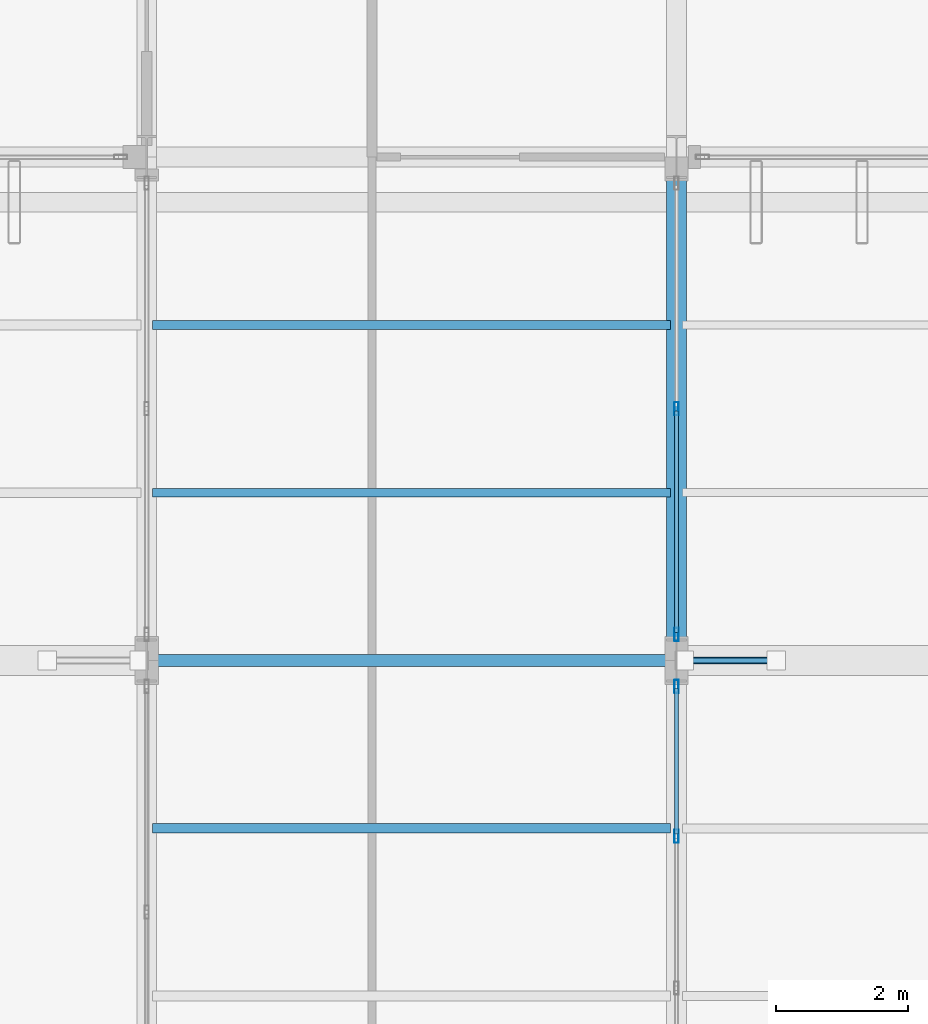
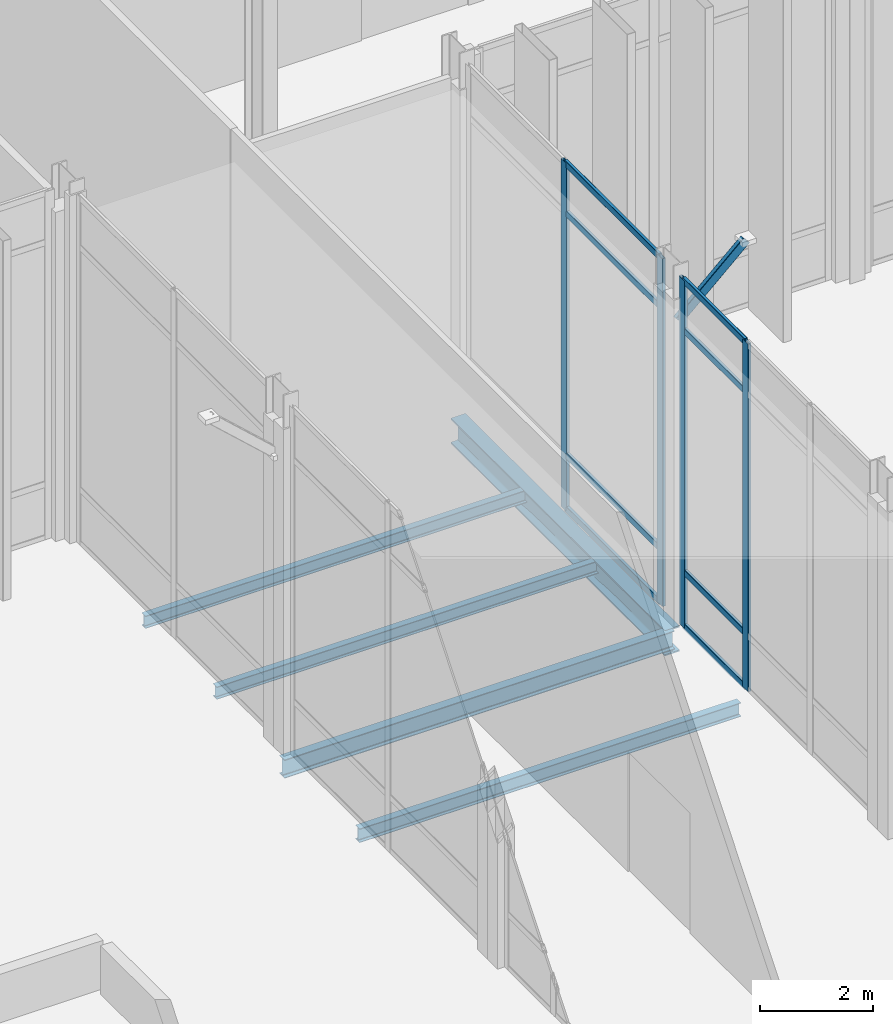
# One storey, part 47 of 176: 13 members, 5 beams, 2 elements without a shape of their own.
"""IFC4 building model written with IfcOpenShell, lengths in metres."""

from ifc_helpers import new_model, si_unit, direction, frame, origin, origin_2d, place, context, subcontext, project, spatial, hollow_rectangle, i_section, extrude, material, layer, layer_set, material_profile, profile_set, type_object, element, aggregate, save


model = new_model("IFC4")

# Units and contexts
model_context = context("Model", 3, precision=1e-05, world=origin(), true_north=direction((0.0, 1.0)))
body_context = subcontext(model_context, "Body", "Model", "MODEL_VIEW")
ifc_project = project(units=[si_unit("LENGTHUNIT", "METRE"), si_unit("AREAUNIT", "SQUARE_METRE"), si_unit("VOLUMEUNIT", "CUBIC_METRE"), si_unit("PLANEANGLEUNIT", "RADIAN"), si_unit("MASSUNIT", "GRAM", prefix="KILO")], contexts=[model_context])

# Site, building, storey
site_placement = place(None, origin())
site = spatial("IfcSite", under=ifc_project, at=site_placement, CompositionType="ELEMENT")
building_placement = place(site_placement, origin())
building = spatial("IfcBuilding", under=site, at=building_placement, Name="Vekula Escarpment Museum", CompositionType="ELEMENT")
storey_placement = place(building_placement, origin())
storey = spatial("IfcBuildingStorey", under=building, at=storey_placement, Name="L01", CompositionType="ELEMENT", Elevation=0.0)

# Beams
ifc_material_1 = material(Name="Steel S355", Category="steel")
ifc_material_profile_1 = material_profile(ifc_material_1, i_section(OverallWidth=0.300048828125, OverallDepth=0.550048828125, WebThickness=0.014892578125, FlangeThickness=0.029052734375, FilletRadius=0.027099609375, at=origin_2d()), Name="HEB 550")
ifc_profile_set_1 = profile_set([ifc_material_profile_1], Name="Steel S355")
beam_type_1 = type_object("IfcBeamType", Name="BM-GIRD-HEB550", PredefinedType="BEAM", material=ifc_profile_set_1)
beam_1_placement = place(storey_placement, frame((102.0, 38.0, -0.574951171875), z_axis=(0.0, 1.0, 0.0), x_axis=(-1.0, 0.0, 0.0)))
element("IfcBeam", 1, at=beam_1_placement, inside=storey, type_object=beam_type_1, Name="Beam Y L01 0599", PredefinedType="BEAM", context=body_context, shape_type="SweptSolid", body=[
    extrude(i_section(OverallWidth=0.300048828125, OverallDepth=0.550048828125, WebThickness=0.014892578125, FlangeThickness=0.029052734375, FilletRadius=0.027099609375, at=origin_2d()), origin(), (0.0, 0.0, 1.0), 7.60009765625),
])
ifc_material_2 = material(Name="Steel S355", Category="steel")
ifc_material_profile_2 = material_profile(ifc_material_2, i_section(OverallWidth=0.179931640625, OverallDepth=0.39990234375, WebThickness=0.008544921875, FlangeThickness=0.013427734375, FilletRadius=0.02099609375, at=origin_2d()), Name="IPE 400")
ifc_profile_set_2 = profile_set([ifc_material_profile_2], Name="Steel S355")
beam_type_2 = type_object("IfcBeamType", Name="BM-GIRD-IPE400", PredefinedType="BEAM", material=ifc_profile_set_2)
beam_2_placement = place(storey_placement, frame((94.0, 38.0, -0.5), z_axis=(1.0, 0.0, 0.0), x_axis=(0.0, 1.0, 0.0)))
element("IfcBeam", 2, at=beam_2_placement, inside=storey, type_object=beam_type_2, Name="Beam X L01 0109", PredefinedType="BEAM", context=body_context, shape_type="SweptSolid", body=[
    extrude(i_section(OverallWidth=0.179931640625, OverallDepth=0.39990234375, WebThickness=0.008544921875, FlangeThickness=0.013427734375, FilletRadius=0.02099609375, at=origin_2d()), origin(), (0.0, 0.0, 1.0), 8.0),
])
ifc_material_3 = material(Name="Steel S355", Category="steel")
ifc_material_profile_3 = material_profile(ifc_material_3, i_section(OverallWidth=0.135009765625, OverallDepth=0.27001953125, WebThickness=0.006591796875, FlangeThickness=0.01025390625, FilletRadius=0.014892578125, at=origin_2d()), Name="IPE 270")
ifc_profile_set_3 = profile_set([ifc_material_profile_3], Name="Steel S355")
beam_type_3 = type_object("IfcBeamType", Name="BM-JST-IPE270", PredefinedType="JOIST", material=ifc_profile_set_3)
for number, where, z_axis, x_axis, name in (
    (3, (94.090087890625, 40.533203125, -0.43505859375), (1.0, 0.0, 0.0), (0.0, 1.0, 0.0), "Secondary Joist L01 0298"),
    (4, (94.090087890625, 43.066650390625, -0.43505859375), (1.0, 0.0, 0.0), (0.0, 1.0, 0.0), "Secondary Joist L01 0299"),
):
    element("IfcBeam", number, at=place(storey_placement, frame(where, z_axis=z_axis, x_axis=x_axis)), inside=storey, type_object=beam_type_3, Name=name, PredefinedType="JOIST", context=body_context, shape_type="SweptSolid", body=[
        extrude(i_section(OverallWidth=0.135009765625, OverallDepth=0.27001953125, WebThickness=0.006591796875, FlangeThickness=0.01025390625, FilletRadius=0.014892578125, at=origin_2d()), origin(), (0.0, 0.0, 1.0), 7.81982421875),
    ])
ifc_material_4 = material(Name="Steel S355", Category="steel")
ifc_material_profile_4 = material_profile(ifc_material_4, i_section(OverallWidth=0.14990234375, OverallDepth=0.300048828125, WebThickness=0.007080078125, FlangeThickness=0.0107421875, FilletRadius=0.014892578125, at=origin_2d()), Name="IPE 300")
ifc_profile_set_4 = profile_set([ifc_material_profile_4], Name="Steel S355")
beam_type_4 = type_object("IfcBeamType", Name="BM-JST-IPE300", PredefinedType="JOIST", material=ifc_profile_set_4)
beam_3_placement = place(storey_placement, frame((94.090087890625, 35.466796875, -0.449951171875), z_axis=(1.0, 0.0, 0.0), x_axis=(0.0, 1.0, 0.0)))
element("IfcBeam", 5, at=beam_3_placement, inside=storey, type_object=beam_type_4, Name="Secondary Joist L01 0297", PredefinedType="JOIST", context=body_context, shape_type="SweptSolid", body=[
    extrude(i_section(OverallWidth=0.14990234375, OverallDepth=0.300048828125, WebThickness=0.007080078125, FlangeThickness=0.0107421875, FilletRadius=0.014892578125, at=origin_2d()), origin(), (0.0, 0.0, 1.0), 7.81982421875),
])

# Curtain wall, members
ifc_material_5 = material(Name="Aluminium thermally broken framing", Category="aluminium")
ifc_layer_1 = layer(ifc_material_5, 0.159912109375)
ifc_layer_set_1 = layer_set([ifc_layer_1], Name="Aluminium thermally broken framing")
curtain_wall_type_1 = type_object("IfcCurtainWallType", Name="CW-SYS-05", PredefinedType="NOTDEFINED", material=ifc_layer_set_1)
curtain_wall_1_placement = place(storey_placement, origin())
curtain_wall_1 = element("IfcCurtainWall", 6, at=curtain_wall_1_placement, inside=storey, type_object=curtain_wall_type_1, Name="Curtain Wall CW-L01-005", PredefinedType="NOTDEFINED")
ifc_material_6 = material(Name="Aluminium anodized mullion", Category="aluminium")
ifc_material_profile_5 = material_profile(ifc_material_6, hollow_rectangle(XDim=0.06494140625, YDim=0.199951171875, WallThickness=0.00390625, InnerFilletRadius=0.00390625, OuterFilletRadius=0.008056640625, at=origin_2d()), Name="ALU 200x65x4")
ifc_profile_set_5 = profile_set([ifc_material_profile_5], Name="Aluminium anodized mullion")
member_type_1 = type_object("IfcMemberType", Name="CW-MUL-200", PredefinedType="MULLION", material=ifc_profile_set_5)
member_1_placement = place(storey_placement, frame((102.0, 35.3466796875, 0.0), z_axis=(0.0, 0.0, 1.0), x_axis=(-1.0, 0.0, 0.0)))
member_1 = element("IfcMember", 7, at=member_1_placement, type_object=member_type_1, Name="CW-05 mullion 3", PredefinedType="MULLION", context=body_context, shape_type="SweptSolid", body=[
    extrude(hollow_rectangle(XDim=0.06494140625, YDim=0.199951171875, WallThickness=0.00390625, InnerFilletRadius=0.00390625, OuterFilletRadius=0.008056640625, at=origin_2d()), origin(), (0.0, 0.0, 1.0), 7.5400390625),
])
member_2_placement = place(storey_placement, frame((102.0, 37.607421875, 0.0), z_axis=(0.0, 0.0, 1.0), x_axis=(-1.0, 0.0, 0.0)))
member_2 = element("IfcMember", 8, at=member_2_placement, type_object=member_type_1, Name="CW-05 mullion 4", PredefinedType="MULLION", context=body_context, shape_type="SweptSolid", body=[
    extrude(hollow_rectangle(XDim=0.06494140625, YDim=0.199951171875, WallThickness=0.00390625, InnerFilletRadius=0.00390625, OuterFilletRadius=0.008056640625, at=origin_2d()), origin(), (0.0, 0.0, 1.0), 7.5400390625),
])

ifc_material_7 = material(Name="Aluminium thermally broken framing", Category="aluminium")
ifc_layer_2 = layer(ifc_material_7, 0.139892578125)
ifc_layer_set_2 = layer_set([ifc_layer_2], Name="Aluminium thermally broken framing")
curtain_wall_type_2 = type_object("IfcCurtainWallType", Name="CW-SYS-06", PredefinedType="NOTDEFINED", material=ifc_layer_set_2)
curtain_wall_2_placement = place(storey_placement, origin())
curtain_wall_2 = element("IfcCurtainWall", 9, at=curtain_wall_2_placement, inside=storey, type_object=curtain_wall_type_2, Name="Curtain Wall CW-L01-006", PredefinedType="NOTDEFINED")
member_3_placement = place(storey_placement, frame((102.0, 38.392578125, 0.0), z_axis=(0.0, 0.0, 1.0), x_axis=(-1.0, 0.0, 0.0)))
member_3 = element("IfcMember", 10, at=member_3_placement, type_object=member_type_1, Name="CW-06 mullion 1", PredefinedType="MULLION", context=body_context, shape_type="SweptSolid", body=[
    extrude(hollow_rectangle(XDim=0.06494140625, YDim=0.199951171875, WallThickness=0.00390625, InnerFilletRadius=0.00390625, OuterFilletRadius=0.008056640625, at=origin_2d()), origin(), (0.0, 0.0, 1.0), 7.5400390625),
])
member_4_placement = place(storey_placement, frame((102.0, 41.800048828125, 0.0), z_axis=(0.0, 0.0, 1.0), x_axis=(-1.0, 0.0, 0.0)))
member_4 = element("IfcMember", 11, at=member_4_placement, type_object=member_type_1, Name="CW-06 mullion 2", PredefinedType="MULLION", context=body_context, shape_type="SweptSolid", body=[
    extrude(hollow_rectangle(XDim=0.06494140625, YDim=0.199951171875, WallThickness=0.00390625, InnerFilletRadius=0.00390625, OuterFilletRadius=0.008056640625, at=origin_2d()), origin(), (0.0, 0.0, 1.0), 7.5400390625),
])

# Member
ifc_material_8 = material(Name="Aluminium anodized transom", Category="aluminium")
ifc_material_profile_6 = material_profile(ifc_material_8, hollow_rectangle(XDim=0.06494140625, YDim=0.139892578125, WallThickness=0.00390625, InnerFilletRadius=0.00390625, OuterFilletRadius=0.008056640625, at=origin_2d()), Name="ALU 140x65x4")
ifc_profile_set_6 = profile_set([ifc_material_profile_6], Name="Aluminium anodized transom")
member_type_2 = type_object("IfcMemberType", Name="CW-TRN-140", PredefinedType="USERDEFINED", material=ifc_profile_set_6)
member_5_placement = place(storey_placement, frame((102.0, 35.379150390625, 0.032470703125), z_axis=(0.0, 1.0, 0.0), x_axis=(-1.0, 0.0, 0.0)))
member_5 = element("IfcMember", 12, at=member_5_placement, type_object=member_type_2, Name="CW-05 transom 3.1", ObjectType="TRANSOM", PredefinedType="USERDEFINED", context=body_context, shape_type="SweptSolid", body=[
    extrude(hollow_rectangle(XDim=0.06494140625, YDim=0.139892578125, WallThickness=0.00390625, InnerFilletRadius=0.00390625, OuterFilletRadius=0.008056640625, at=origin_2d()), origin(), (0.0, 0.0, 1.0), 2.19580078125),
])

member_6_placement = place(storey_placement, frame((102.0, 35.379150390625, 1.199951171875), z_axis=(0.0, 1.0, 0.0), x_axis=(-1.0, 0.0, 0.0)))
member_6 = element("IfcMember", 13, at=member_6_placement, type_object=member_type_2, Name="CW-05 transom 3.2", ObjectType="TRANSOM", PredefinedType="USERDEFINED", context=body_context, shape_type="SweptSolid", body=[
    extrude(hollow_rectangle(XDim=0.06494140625, YDim=0.139892578125, WallThickness=0.00390625, InnerFilletRadius=0.00390625, OuterFilletRadius=0.008056640625, at=origin_2d()), origin(), (0.0, 0.0, 1.0), 2.19580078125),
])

member_7_placement = place(storey_placement, frame((102.0, 35.379150390625, 6.43994140625), z_axis=(0.0, 1.0, 0.0), x_axis=(-1.0, 0.0, 0.0)))
member_7 = element("IfcMember", 14, at=member_7_placement, type_object=member_type_2, Name="CW-05 transom 3.3", ObjectType="TRANSOM", PredefinedType="USERDEFINED", context=body_context, shape_type="SweptSolid", body=[
    extrude(hollow_rectangle(XDim=0.06494140625, YDim=0.139892578125, WallThickness=0.00390625, InnerFilletRadius=0.00390625, OuterFilletRadius=0.008056640625, at=origin_2d()), origin(), (0.0, 0.0, 1.0), 2.19580078125),
])

member_8_placement = place(storey_placement, frame((102.0, 35.379150390625, 7.507568359375), z_axis=(0.0, 1.0, 0.0), x_axis=(-1.0, 0.0, 0.0)))
member_8 = element("IfcMember", 15, at=member_8_placement, type_object=member_type_2, Name="CW-05 transom 3.4", ObjectType="TRANSOM", PredefinedType="USERDEFINED", context=body_context, shape_type="SweptSolid", body=[
    extrude(hollow_rectangle(XDim=0.06494140625, YDim=0.139892578125, WallThickness=0.00390625, InnerFilletRadius=0.00390625, OuterFilletRadius=0.008056640625, at=origin_2d()), origin(), (0.0, 0.0, 1.0), 2.19580078125),
])

aggregate(curtain_wall_1, [member_1, member_2, member_5, member_6, member_7, member_8])

member_9_placement = place(storey_placement, frame((102.0, 38.425048828125, 0.032470703125), z_axis=(0.0, 1.0, 0.0), x_axis=(-1.0, 0.0, 0.0)))
member_9 = element("IfcMember", 16, at=member_9_placement, type_object=member_type_2, Name="CW-06 transom 1.1", ObjectType="TRANSOM", PredefinedType="USERDEFINED", context=body_context, shape_type="SweptSolid", body=[
    extrude(hollow_rectangle(XDim=0.06494140625, YDim=0.139892578125, WallThickness=0.00390625, InnerFilletRadius=0.00390625, OuterFilletRadius=0.008056640625, at=origin_2d()), origin(), (0.0, 0.0, 1.0), 3.342529296875),
])

member_10_placement = place(storey_placement, frame((102.0, 38.425048828125, 1.199951171875), z_axis=(0.0, 1.0, 0.0), x_axis=(-1.0, 0.0, 0.0)))
member_10 = element("IfcMember", 17, at=member_10_placement, type_object=member_type_2, Name="CW-06 transom 1.2", ObjectType="TRANSOM", PredefinedType="USERDEFINED", context=body_context, shape_type="SweptSolid", body=[
    extrude(hollow_rectangle(XDim=0.06494140625, YDim=0.139892578125, WallThickness=0.00390625, InnerFilletRadius=0.00390625, OuterFilletRadius=0.008056640625, at=origin_2d()), origin(), (0.0, 0.0, 1.0), 3.342529296875),
])

member_11_placement = place(storey_placement, frame((102.0, 38.425048828125, 6.43994140625), z_axis=(0.0, 1.0, 0.0), x_axis=(-1.0, 0.0, 0.0)))
member_11 = element("IfcMember", 18, at=member_11_placement, type_object=member_type_2, Name="CW-06 transom 1.3", ObjectType="TRANSOM", PredefinedType="USERDEFINED", context=body_context, shape_type="SweptSolid", body=[
    extrude(hollow_rectangle(XDim=0.06494140625, YDim=0.139892578125, WallThickness=0.00390625, InnerFilletRadius=0.00390625, OuterFilletRadius=0.008056640625, at=origin_2d()), origin(), (0.0, 0.0, 1.0), 3.342529296875),
])

member_12_placement = place(storey_placement, frame((102.0, 38.425048828125, 7.507568359375), z_axis=(0.0, 1.0, 0.0), x_axis=(-1.0, 0.0, 0.0)))
member_12 = element("IfcMember", 19, at=member_12_placement, type_object=member_type_2, Name="CW-06 transom 1.4", ObjectType="TRANSOM", PredefinedType="USERDEFINED", context=body_context, shape_type="SweptSolid", body=[
    extrude(hollow_rectangle(XDim=0.06494140625, YDim=0.139892578125, WallThickness=0.00390625, InnerFilletRadius=0.00390625, OuterFilletRadius=0.008056640625, at=origin_2d()), origin(), (0.0, 0.0, 1.0), 3.342529296875),
])

aggregate(curtain_wall_2, [member_3, member_4, member_9, member_10, member_11, member_12])

ifc_material_9 = material(Name="Steel S355", Category="steel")
ifc_material_profile_7 = material_profile(ifc_material_9, hollow_rectangle(XDim=0.10009765625, YDim=0.199951171875, WallThickness=0.008056640625, InnerFilletRadius=0.008056640625, OuterFilletRadius=0.01611328125, at=origin_2d()), Name="RHS 200x100x8")
ifc_profile_set_7 = profile_set([ifc_material_profile_7], Name="Steel S355")
member_type_3 = type_object("IfcMemberType", Name="MB-SACAK-BRK", PredefinedType="STRUT", material=ifc_profile_set_7)
member_13_placement = place(storey_placement, frame((102.1201171875, 38.0, 6.35009765625), z_axis=(0.738454378718, 0.0, 0.674303441006), x_axis=(0.0, 1.0, 0.0)))
element("IfcMember", 20, at=member_13_placement, inside=storey, type_object=member_type_3, Name="Ottoman Sacak Eave Bracket L02-0018", PredefinedType="STRUT", context=body_context, shape_type="SweptSolid", body=[
    extrude(hollow_rectangle(XDim=0.10009765625, YDim=0.199951171875, WallThickness=0.008056640625, InnerFilletRadius=0.008056640625, OuterFilletRadius=0.01611328125, at=origin_2d()), origin(), (0.0, 0.0, 1.0), 1.86865234375),
])

save(model, "model.ifc")
